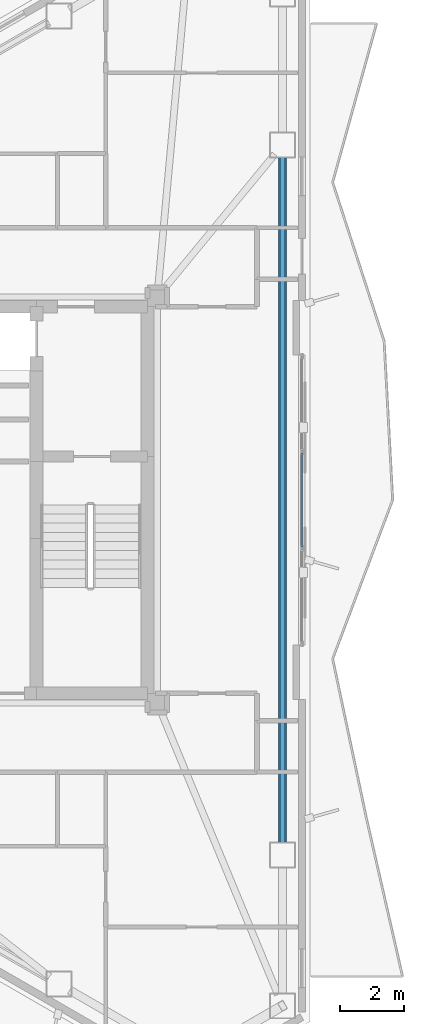
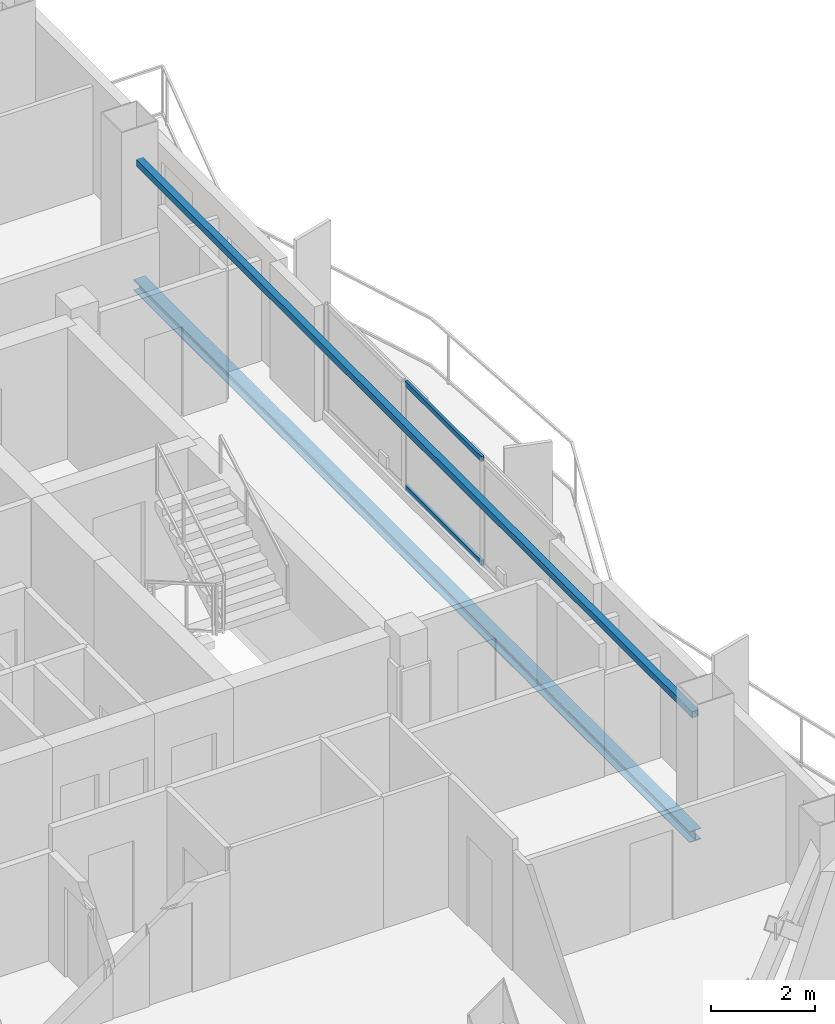
# One storey, part 12 of 22: 2 beams, 2 members, 1 element without a shape of its own.
"""IFC4 building model written with IfcOpenShell, lengths in metres."""

from ifc_helpers import new_model, si_unit, direction, frame, origin, origin_2d, place, context, subcontext, project, spatial, hollow_rectangle, i_section, extrude, material, layer, layer_set, material_profile, profile_set, type_object, element, aggregate, save


model = new_model("IFC4")

# Units and contexts
model_context = context("Model", 3, precision=1e-05, world=origin(), true_north=direction((0.0, 1.0)))
body_context = subcontext(model_context, "Body", "Model", "MODEL_VIEW")
ifc_project = project(units=[si_unit("LENGTHUNIT", "METRE"), si_unit("AREAUNIT", "SQUARE_METRE"), si_unit("VOLUMEUNIT", "CUBIC_METRE"), si_unit("PLANEANGLEUNIT", "RADIAN"), si_unit("MASSUNIT", "GRAM", prefix="KILO")], contexts=[model_context])

# Site, building, storey
site_placement = place(None, origin())
site = spatial("IfcSite", under=ifc_project, at=site_placement, CompositionType="ELEMENT")
building_placement = place(site_placement, origin())
building = spatial("IfcBuilding", under=site, at=building_placement, Name="Mersakhor Tower and Convention Hall", CompositionType="ELEMENT")
storey_placement = place(building_placement, frame((0.0, 0.0, 205.199951171875)))
storey = spatial("IfcBuildingStorey", under=building, at=storey_placement, Name="L57", CompositionType="ELEMENT", Elevation=205.199951171875)

# Beams
ifc_material_1 = material(Name="Steel S355", Category="steel")
ifc_material_profile_1 = material_profile(ifc_material_1, hollow_rectangle(XDim=0.14990234375, YDim=0.14990234375, WallThickness=0.010009765625, at=origin_2d()), Name="SHS 150x150x10")
ifc_profile_set_1 = profile_set([ifc_material_profile_1], Name="Steel S355")
beam_type_1 = type_object("IfcBeamType", Name="BM-GRT-SHS150", PredefinedType="USERDEFINED", material=ifc_profile_set_1)
beam_1_placement = place(storey_placement, frame((39.98828125, 37.392822265625, 2.47998046875), z_axis=(0.0, -1.0, 0.0), x_axis=(1.0, 0.0, 0.0)))
element("IfcBeam", 1, at=beam_1_placement, inside=storey, type_object=beam_type_1, Name="L57 Facade Support Girt GRT-F2", ObjectType="GIRT", PredefinedType="USERDEFINED", context=body_context, shape_type="SweptSolid", body=[
    extrude(hollow_rectangle(XDim=0.14990234375, YDim=0.14990234375, WallThickness=0.010009765625, at=origin_2d()), origin(), (0.0, 0.0, 1.0), 21.28564453125),
])
ifc_material_2 = material(Name="Steel S355", Category="steel")
ifc_material_profile_2 = material_profile(ifc_material_2, i_section(OverallWidth=0.25634765625, OverallDepth=0.26025390625, WebThickness=0.01025390625, FlangeThickness=0.017333984375, at=origin_2d()), Name="UC 254x254x89")
ifc_profile_set_2 = profile_set([ifc_material_profile_2], Name="Steel S355")
beam_type_2 = type_object("IfcBeamType", Name="BM-SPD-UC254", PredefinedType="SPANDREL", material=ifc_profile_set_2)
beam_2_placement = place(storey_placement, frame((39.98828125, 37.392822265625, -0.360107421875), z_axis=(0.0, -1.0, 0.0), x_axis=(1.0, 0.0, 0.0)))
element("IfcBeam", 2, at=beam_2_placement, inside=storey, type_object=beam_type_2, Name="L57 Perimeter Spandrel Beam SPB-06", PredefinedType="SPANDREL", context=body_context, shape_type="SweptSolid", body=[
    extrude(i_section(OverallWidth=0.25634765625, OverallDepth=0.26025390625, WebThickness=0.01025390625, FlangeThickness=0.017333984375, at=origin_2d()), origin(), (0.0, 0.0, 1.0), 21.28564453125),
])

# Curtain wall, members
ifc_material_3 = material(Name="Dark solar low-E aluminium curtain wall", Category="aluminium")
ifc_layer = layer(ifc_material_3, 0.169921875)
ifc_layer_set = layer_set([ifc_layer], Name="Dark solar low-E aluminium curtain wall")
curtain_wall_type = type_object("IfcCurtainWallType", Name="CW-SYS-02", PredefinedType="USERDEFINED", material=ifc_layer_set)
curtain_wall_placement = place(storey_placement, origin())
curtain_wall = element("IfcCurtainWall", 3, at=curtain_wall_placement, inside=storey, type_object=curtain_wall_type, Name="L57 Dark-Glass Curtain Wall F2-B2", ObjectType="CURTAIN WALL", PredefinedType="USERDEFINED")
ifc_material_4 = material(Name="Anodised aluminium EN AW-6063 T6", Category="aluminium")
ifc_material_profile_3 = material_profile(ifc_material_4, hollow_rectangle(XDim=0.06005859375, YDim=0.1201171875, WallThickness=0.0048828125, at=origin_2d()), Name="RHS 120x60x5")
ifc_profile_set_3 = profile_set([ifc_material_profile_3], Name="Anodised aluminium EN AW-6063 T6")
member_type = type_object("IfcMemberType", Name="CWT-120x60", PredefinedType="USERDEFINED", material=ifc_profile_set_3)
member_1_placement = place(storey_placement, frame((40.58837890625, 28.21240234375, 0.22998046875), z_axis=(0.0, -1.0, 0.0), x_axis=(1.0, 0.0, 0.0)))
member_1 = element("IfcMember", 4, at=member_1_placement, type_object=member_type, Name="CW-02 transom 2.1", ObjectType="TRANSOM", PredefinedType="USERDEFINED", context=body_context, shape_type="SweptSolid", body=[
    extrude(hollow_rectangle(XDim=0.06005859375, YDim=0.1201171875, WallThickness=0.0048828125, at=origin_2d()), origin(), (0.0, 0.0, 1.0), 2.9248046875),
])
member_2_placement = place(storey_placement, frame((40.58837890625, 28.21240234375, 2.66015625), z_axis=(0.0, -1.0, 0.0), x_axis=(1.0, 0.0, 0.0)))
member_2 = element("IfcMember", 5, at=member_2_placement, type_object=member_type, Name="CW-02 transom 2.2", ObjectType="TRANSOM", PredefinedType="USERDEFINED", context=body_context, shape_type="SweptSolid", body=[
    extrude(hollow_rectangle(XDim=0.06005859375, YDim=0.1201171875, WallThickness=0.0048828125, at=origin_2d()), origin(), (0.0, 0.0, 1.0), 2.9248046875),
])
aggregate(curtain_wall, [member_1, member_2])

save(model, "model.ifc")
